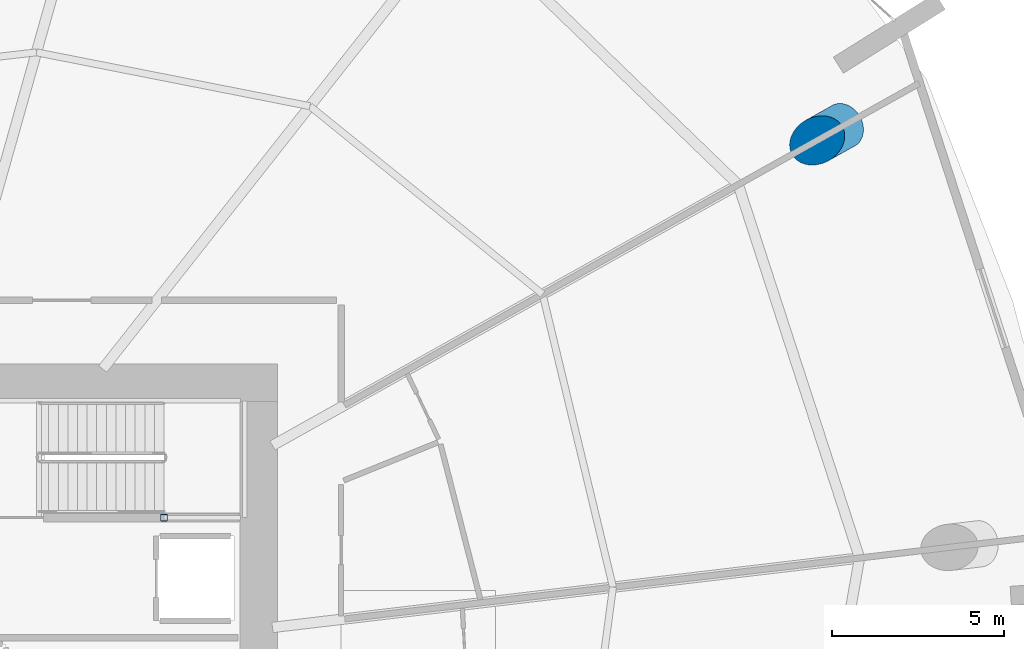
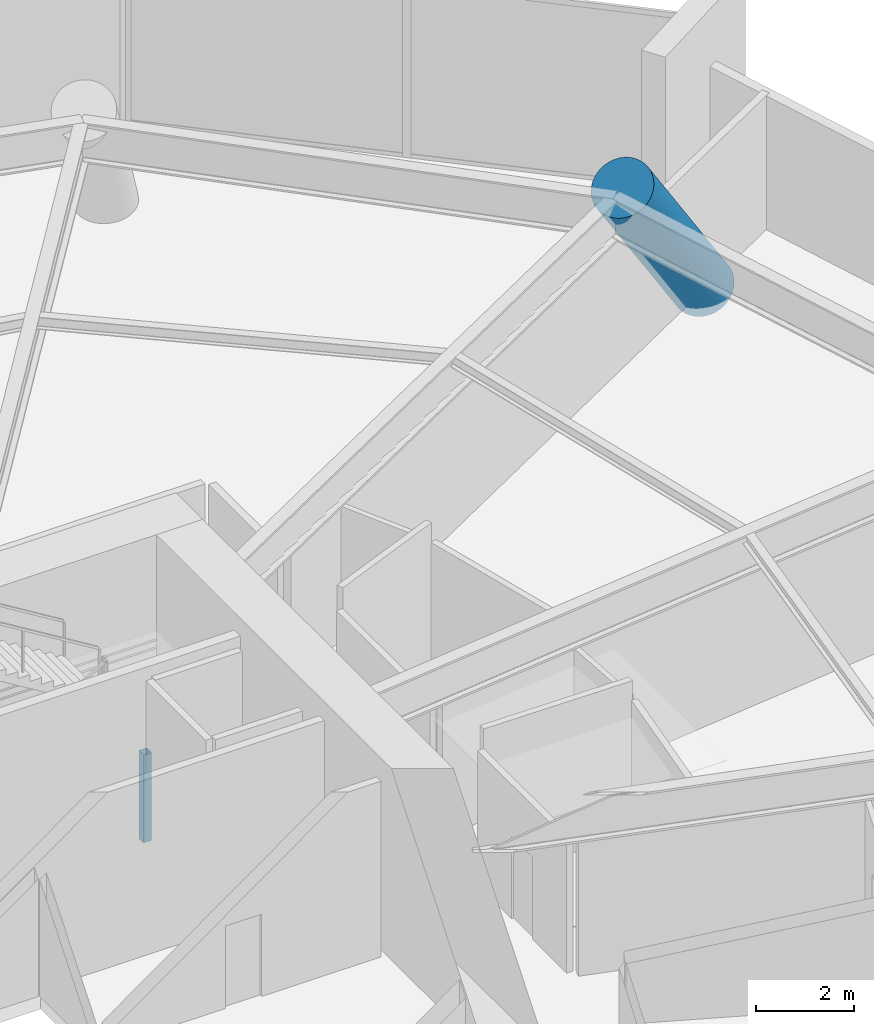
# One storey, part 5 of 21: 2 columns.
"""IFC4 building model written with IfcOpenShell, lengths in metres."""

from ifc_helpers import new_model, si_unit, direction, frame, origin, origin_2d, place, context, subcontext, project, spatial, hollow_rectangle, circle, extrude, material, material_profile, profile_set, type_object, element, save


model = new_model("IFC4")

# Units and contexts
model_context = context("Model", 3, precision=1e-05, world=origin(), true_north=direction((0.0, 1.0)))
body_context = subcontext(model_context, "Body", "Model", "MODEL_VIEW")
ifc_project = project(units=[si_unit("LENGTHUNIT", "METRE"), si_unit("AREAUNIT", "SQUARE_METRE"), si_unit("VOLUMEUNIT", "CUBIC_METRE"), si_unit("PLANEANGLEUNIT", "RADIAN"), si_unit("MASSUNIT", "GRAM", prefix="KILO")], contexts=[model_context])

# Site, building, storey
site_placement = place(None, origin())
site = spatial("IfcSite", under=ifc_project, at=site_placement, CompositionType="ELEMENT")
building_placement = place(site_placement, origin())
building = spatial("IfcBuilding", under=site, at=building_placement, Name="Kazma Halo Residences", CompositionType="ELEMENT")
storey_placement = place(building_placement, frame((0.0, 0.0, 21.60009765625)))
storey = spatial("IfcBuildingStorey", under=building, at=storey_placement, Name="L04", CompositionType="ELEMENT", Elevation=21.60009765625)

# Columns
ifc_material_1 = material(Name="Steel S355", Category="steel")
ifc_material_profile_1 = material_profile(ifc_material_1, hollow_rectangle(XDim=0.199951171875, YDim=0.199951171875, WallThickness=0.010009765625, InnerFilletRadius=0.010009765625, OuterFilletRadius=0.02001953125, at=origin_2d()), Name="SHS200x200x10")
ifc_profile_set_1 = profile_set([ifc_material_profile_1], Name="Steel S355")
column_type_1 = type_object("IfcColumnType", Name="COL-LP-SHS200", PredefinedType="COLUMN", material=ifc_profile_set_1)
column_1_placement = place(storey_placement, frame((56.840087890625, 46.6201171875, 0.0), z_axis=(0.0, 0.0, 1.0), x_axis=(1.0, 0.0, 0.0)))
element("IfcColumn", 1, at=column_1_placement, inside=storey, type_object=column_type_1, Name="L04 ST-02 landing pilaster 1", PredefinedType="COLUMN", context=body_context, shape_type="SweptSolid", body=[
    extrude(hollow_rectangle(XDim=0.199951171875, YDim=0.199951171875, WallThickness=0.010009765625, InnerFilletRadius=0.010009765625, OuterFilletRadius=0.02001953125, at=origin_2d()), origin(), (0.0, 0.0, 1.0), 2.19482421875),
])
ifc_material_2 = material(Name="Concrete C80/95", Category="concrete")
ifc_material_profile_2 = material_profile(ifc_material_2, circle(Radius=0.675048828125, at=origin_2d()), Name="CIRC1350")
ifc_profile_set_2 = profile_set([ifc_material_profile_2], Name="Concrete C80/95")
column_type_2 = type_object("IfcColumnType", Name="COL-PERIM-1350", PredefinedType="COLUMN", material=ifc_profile_set_2)
column_2_placement = place(storey_placement, frame((76.6328125, 58.03515625, 0.0), z_axis=(-0.515579191141, -0.288765528915, 0.806717154257), x_axis=(0.488656419967, -0.872476305251, 0.0)))
element("IfcColumn", 2, at=column_2_placement, inside=storey, type_object=column_type_2, Name="L04 perimeter ring column P01", PredefinedType="COLUMN", context=body_context, shape_type="SweptSolid", body=[
    extrude(circle(Radius=0.675048828125, at=origin_2d()), origin(), (0.0, 0.0, 1.0), 5.4541015625),
])

save(model, "model.ifc")
